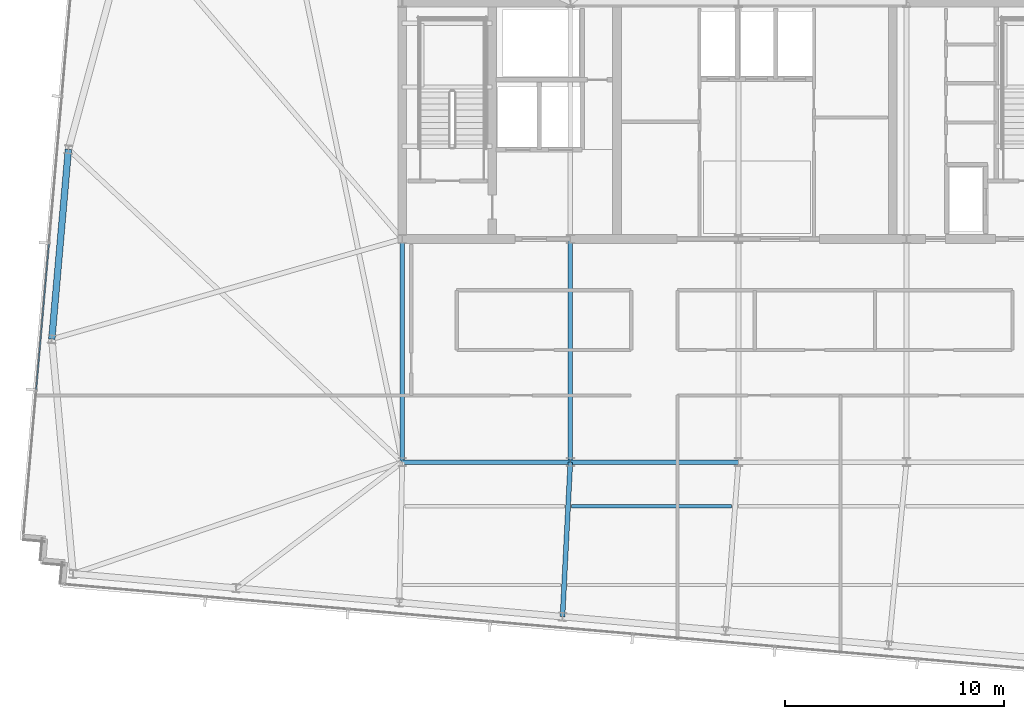
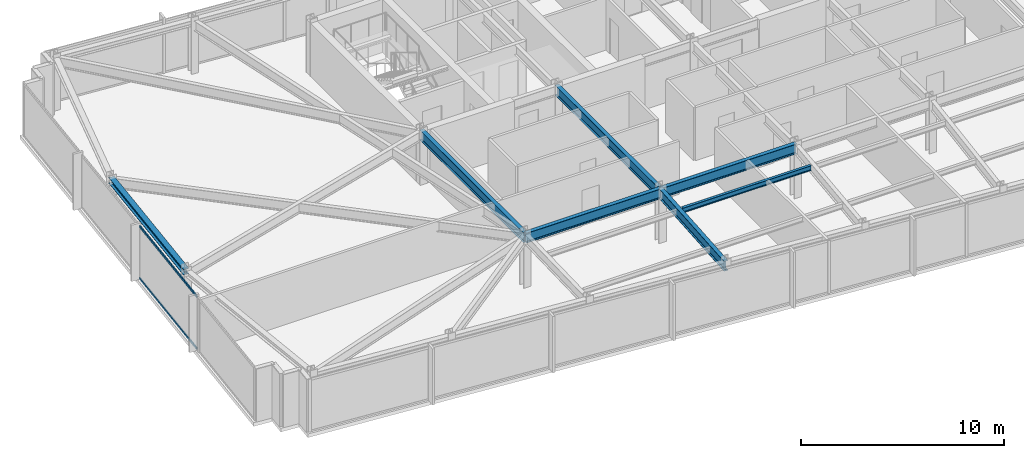
# One storey, part 8 of 32: 7 beams, 2 members, 1 element without a shape of its own.
"""IFC4 building model written with IfcOpenShell, lengths in metres."""

from ifc_helpers import new_model, si_unit, direction, frame, origin, origin_2d, place, context, subcontext, project, spatial, hollow_rectangle, i_section, extrude, material, material_profile, profile_set, type_object, element, aggregate, save


model = new_model("IFC4")

# Units and contexts
model_context = context("Model", 3, precision=1e-05, world=origin(), true_north=direction((0.0, 1.0)))
body_context = subcontext(model_context, "Body", "Model", "MODEL_VIEW")
ifc_project = project(units=[si_unit("LENGTHUNIT", "METRE"), si_unit("AREAUNIT", "SQUARE_METRE"), si_unit("VOLUMEUNIT", "CUBIC_METRE"), si_unit("PLANEANGLEUNIT", "RADIAN"), si_unit("MASSUNIT", "GRAM", prefix="KILO")], contexts=[model_context])

# Site, building, storey
site_placement = place(None, origin())
site = spatial("IfcSite", under=ifc_project, at=site_placement, CompositionType="ELEMENT")
building_placement = place(site_placement, origin())
building = spatial("IfcBuilding", under=site, at=building_placement, Name="Yelkora Congress Tower", CompositionType="ELEMENT")
storey_placement = place(building_placement, frame((0.0, 0.0, 265.89990234375)))
storey = spatial("IfcBuildingStorey", under=building, at=storey_placement, Name="L74", CompositionType="ELEMENT", Elevation=265.89990234375)

# Beams
ifc_material_1 = material(Name="Steel S355J2", Category="steel")
ifc_material_profile_1 = material_profile(ifc_material_1, i_section(OverallWidth=0.219970703125, OverallDepth=0.60009765625, WebThickness=0.011962890625, FlangeThickness=0.01904296875, FilletRadius=0.02392578125, at=origin_2d()), Name="IPE 600")
ifc_profile_set_1 = profile_set([ifc_material_profile_1], Name="Steel S355J2")
beam_type_1 = type_object("IfcBeamType", Name="BM-GIRD-IPE600", PredefinedType="BEAM", material=ifc_profile_set_1)
for number, where, z_axis, x_axis, name in (
    (1, (23.0400390625, 25.199951171875, 2.880126953125), (1.0, 0.0, 0.0), (0.0, 1.0, 0.0), "L74 Spine Grid D Girder 1"),
    (2, (30.719970703125, 25.199951171875, 2.880126953125), (1.0, 0.0, 0.0), (0.0, 1.0, 0.0), "L74 Spine Grid D Girder 2"),
):
    element("IfcBeam", number, at=place(storey_placement, frame(where, z_axis=z_axis, x_axis=x_axis)), inside=storey, type_object=beam_type_1, Name=name, PredefinedType="BEAM", context=body_context, shape_type="SweptSolid", body=[
        extrude(i_section(OverallWidth=0.219970703125, OverallDepth=0.60009765625, WebThickness=0.011962890625, FlangeThickness=0.01904296875, FilletRadius=0.02392578125, at=origin_2d()), origin(), (0.0, 0.0, 1.0), 7.679931640625),
    ])
for number, where, z_axis, x_axis, name in (
    (3, (23.0400390625, 25.199951171875, 2.880126953125), (0.0, 1.0, 0.0), (-1.0, 0.0, 0.0), "L74 Core Tie Girder MC-D1"),
    (4, (30.719970703125, 25.199951171875, 2.880126953125), (0.0, 1.0, 0.0), (-1.0, 0.0, 0.0), "L74 Core Tie Girder MC-D2"),
):
    element("IfcBeam", number, at=place(storey_placement, frame(where, z_axis=z_axis, x_axis=x_axis)), inside=storey, type_object=beam_type_1, Name=name, PredefinedType="BEAM", context=body_context, shape_type="SweptSolid", body=[
        extrude(i_section(OverallWidth=0.219970703125, OverallDepth=0.60009765625, WebThickness=0.011962890625, FlangeThickness=0.01904296875, FilletRadius=0.02392578125, at=origin_2d()), origin(), (0.0, 0.0, 1.0), 10.199951171875),
    ])
beam_1_placement = place(storey_placement, frame((30.362548828125, 18.14111328125, 2.880126953125), z_axis=(0.050569876836, 0.998720525251, 0.0), x_axis=(-0.998720525251, 0.050569876836, 0.0)))
element("IfcBeam", 5, at=beam_1_placement, inside=storey, type_object=beam_type_1, Name="L74 Primary Frame Girder S04", PredefinedType="BEAM", context=body_context, shape_type="SweptSolid", body=[
    extrude(i_section(OverallWidth=0.219970703125, OverallDepth=0.60009765625, WebThickness=0.011962890625, FlangeThickness=0.01904296875, FilletRadius=0.02392578125, at=origin_2d()), origin(), (0.0, 0.0, 1.0), 7.06787109375),
])
ifc_material_profile_2 = material_profile(ifc_material_1, i_section(OverallWidth=0.14990234375, OverallDepth=0.300048828125, WebThickness=0.007080078125, FlangeThickness=0.0107421875, FilletRadius=0.014892578125, at=origin_2d()), Name="IPE 300")
ifc_profile_set_2 = profile_set([ifc_material_profile_2], Name="Steel S355J2")
beam_type_2 = type_object("IfcBeamType", Name="BM-JOIST-IPE300", PredefinedType="JOIST", material=ifc_profile_set_2)
beam_2_placement = place(storey_placement, frame((30.778076171875, 23.1845703125, 3.030029296875), z_axis=(1.0, 0.0, 0.0), x_axis=(0.0, 1.0, 0.0)))
element("IfcBeam", 6, at=beam_2_placement, inside=storey, type_object=beam_type_2, Name="L74 Composite Floor Joist 6", PredefinedType="JOIST", context=body_context, shape_type="SweptSolid", body=[
    extrude(i_section(OverallWidth=0.14990234375, OverallDepth=0.300048828125, WebThickness=0.007080078125, FlangeThickness=0.0107421875, FilletRadius=0.014892578125, at=origin_2d()), origin(), (0.0, 0.0, 1.0), 7.3095703125),
])
ifc_material_profile_3 = material_profile(ifc_material_1, i_section(OverallWidth=0.300048828125, OverallDepth=0.340087890625, WebThickness=0.011962890625, FlangeThickness=0.021484375, FilletRadius=0.027099609375, at=origin_2d()), Name="HEB 340")
ifc_profile_set_3 = profile_set([ifc_material_profile_3], Name="Steel S355J2")
beam_type_3 = type_object("IfcBeamType", Name="BM-SPAN-HEB340", PredefinedType="SPANDREL", material=ifc_profile_set_3)
beam_3_placement = place(storey_placement, frame((7.787353515625, 39.489990234375, 3.010009765625), z_axis=(-0.08715998813, -0.99619432666, 0.0), x_axis=(0.99619432666, -0.08715998813, 0.0)))
element("IfcBeam", 7, at=beam_3_placement, inside=storey, type_object=beam_type_3, Name="L74 Perimeter Beam 14", PredefinedType="SPANDREL", context=body_context, shape_type="SweptSolid", body=[
    extrude(i_section(OverallWidth=0.300048828125, OverallDepth=0.340087890625, WebThickness=0.011962890625, FlangeThickness=0.021484375, FilletRadius=0.027099609375, at=origin_2d()), origin(), (0.0, 0.0, 1.0), 8.7001953125),
])

# Curtain wall, members
ifc_material_2 = material(Name="Anodised aluminium and insulated glass", Category="aluminium")
curtain_wall_type = type_object("IfcCurtainWallType", Name="CW-SYS-B5", PredefinedType="NOTDEFINED", material=ifc_material_2)
curtain_wall_placement = place(storey_placement, origin())
curtain_wall = element("IfcCurtainWall", 8, at=curtain_wall_placement, inside=storey, type_object=curtain_wall_type, Name="L74 Unitised Curtain Wall 5", PredefinedType="NOTDEFINED")
ifc_material_3 = material(Name="Anodised aluminium 6063-T6", Category="aluminium")
ifc_material_profile_4 = material_profile(ifc_material_3, hollow_rectangle(XDim=0.06005859375, YDim=0.1298828125, WallThickness=0.00390625, at=origin_2d()), Name="ALU 60x130x4")
ifc_profile_set_4 = profile_set([ifc_material_profile_4], Name="Anodised aluminium 6063-T6")
member_type = type_object("IfcMemberType", Name="MEM-TR-B5", PredefinedType="USERDEFINED", material=ifc_profile_set_4)
member_1_placement = place(storey_placement, frame((6.31640625, 28.529052734375, 0.030029296875), z_axis=(0.087182854761, 0.996192325726, 0.0), x_axis=(-0.996192325726, 0.087182854761, 0.0)))
member_1 = element("IfcMember", 9, at=member_1_placement, type_object=member_type, Name="CW-B5 transom 2.1", ObjectType="TRANSOM", PredefinedType="USERDEFINED", context=body_context, shape_type="SweptSolid", body=[
    extrude(hollow_rectangle(XDim=0.06005859375, YDim=0.1298828125, WallThickness=0.00390625, at=origin_2d()), origin(), (0.0, 0.0, 1.0), 6.664794921875),
])
member_2_placement = place(storey_placement, frame((6.31640625, 28.529052734375, 3.150146484375), z_axis=(0.087182854761, 0.996192325726, 0.0), x_axis=(-0.996192325726, 0.087182854761, 0.0)))
member_2 = element("IfcMember", 10, at=member_2_placement, type_object=member_type, Name="CW-B5 transom 2.2", ObjectType="TRANSOM", PredefinedType="USERDEFINED", context=body_context, shape_type="SweptSolid", body=[
    extrude(hollow_rectangle(XDim=0.06005859375, YDim=0.1298828125, WallThickness=0.00390625, at=origin_2d()), origin(), (0.0, 0.0, 1.0), 6.664794921875),
])
aggregate(curtain_wall, [member_1, member_2])

save(model, "model.ifc")
